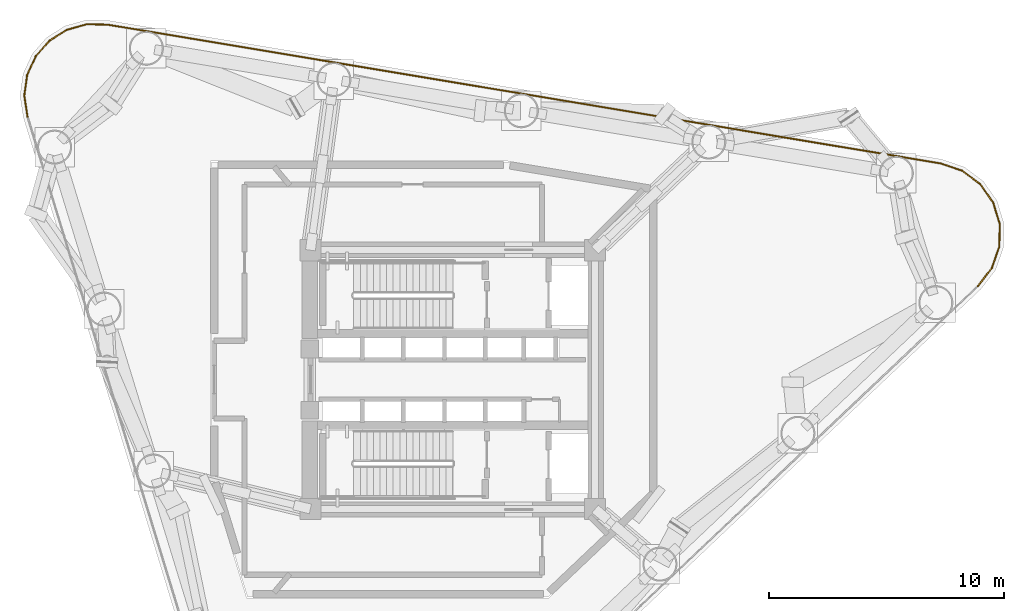
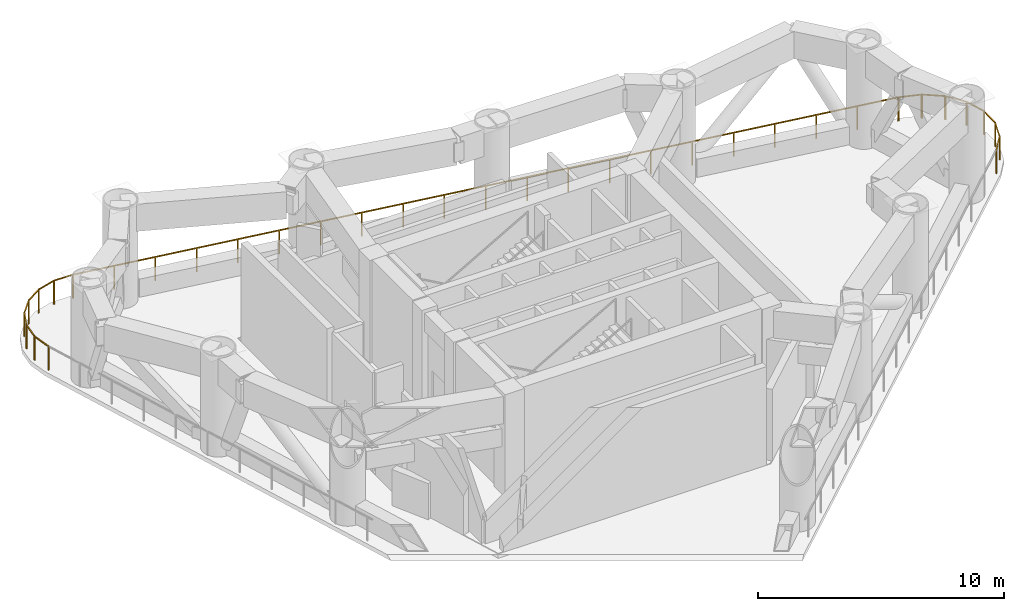
# One storey, part 8 of 8: 15 railings.
"""IFC4 building model written with IfcOpenShell, lengths in metres."""

from ifc_helpers import new_model, si_unit, direction, frame, origin, origin_2d, place, context, subcontext, project, spatial, rectangle, extrude, material, type_object, element, save


model = new_model("IFC4")

# Units and contexts
model_context = context("Model", 3, precision=1e-05, world=origin(), true_north=direction((0.0, 1.0)))
body_context = subcontext(model_context, "Body", "Model", "MODEL_VIEW")
ifc_project = project(units=[si_unit("LENGTHUNIT", "METRE"), si_unit("AREAUNIT", "SQUARE_METRE"), si_unit("VOLUMEUNIT", "CUBIC_METRE"), si_unit("PLANEANGLEUNIT", "RADIAN"), si_unit("MASSUNIT", "GRAM", prefix="KILO")], contexts=[model_context])

# Site, building, storey
site_placement = place(None, origin())
site = spatial("IfcSite", under=ifc_project, at=site_placement, CompositionType="ELEMENT")
building_placement = place(site_placement, origin())
building = spatial("IfcBuilding", under=site, at=building_placement, Name="Yunling Apex Tower", CompositionType="ELEMENT")
storey_placement = place(building_placement, frame((0.0, 0.0, 119.89990234375)))
storey = spatial("IfcBuildingStorey", under=building, at=storey_placement, Name="RF3", CompositionType="ELEMENT", Elevation=119.89990234375)

# Railings
ifc_material = material(Name="Bronze anodised aluminium", Category="aluminium")
railing_type = type_object("IfcRailingType", Name="RL-BAL-1200", PredefinedType="BALUSTRADE", material=ifc_material)
railing_1_placement = place(storey_placement, frame((-18.077880859375, 11.175537109375, 0.0)))
element("IfcRailing", 1, at=railing_1_placement, inside=storey, type_object=railing_type, Name="RL-REF-RF3-02", PredefinedType="BALUSTRADE", context=body_context, shape_type="SweptSolid", body=[
    extrude(rectangle(XDim=0.0439453125, YDim=0.0439453125, at=origin_2d()), origin(), (0.0, 0.0, 1.0), 1.199951171875),
    extrude(rectangle(XDim=0.0439453125, YDim=0.0439453125, at=origin_2d()), frame((-0.13916015625, 0.911865234375, 0.0)), (0.0, 0.0, 1.0), 1.199951171875),
    extrude(rectangle(XDim=0.050048828125, YDim=0.050048828125, at=origin_2d()), frame((-0.005859375, 0.037841796875, 1.1748046875), z_axis=(-0.150863748973, 0.988554565639, 0.0), x_axis=(-0.988554565639, -0.150863748973, 0.0)), (0.0, 0.0, 1.0), 0.845703125),
])
railing_2_placement = place(storey_placement, frame((-18.216796875, 12.0576171875, 0.0)))
element("IfcRailing", 2, at=railing_2_placement, inside=storey, type_object=railing_type, Name="RL-REF-RF3-03", PredefinedType="BALUSTRADE", context=body_context, shape_type="SweptSolid", body=[
    extrude(rectangle(XDim=0.0439453125, YDim=0.0439453125, at=origin_2d()), origin(), (0.0, 0.0, 1.0), 1.199951171875),
    extrude(rectangle(XDim=0.0439453125, YDim=0.0439453125, at=origin_2d()), frame((0.125732421875, 0.900390625, 0.0)), (0.0, 0.0, 1.0), 1.199951171875),
    extrude(rectangle(XDim=0.050048828125, YDim=0.050048828125, at=origin_2d()), frame((0.00537109375, 0.037841796875, 1.1748046875), z_axis=(0.138300172092, 0.990390358596, 0.0), x_axis=(-0.990390358596, 0.138300172092, 0.0)), (0.0, 0.0, 1.0), 0.83251953125),
])
railing_3_placement = place(storey_placement, frame((-18.099365234375, 12.929443359375, 0.0)))
element("IfcRailing", 3, at=railing_3_placement, inside=storey, type_object=railing_type, Name="RL-REF-RF3-04", PredefinedType="BALUSTRADE", context=body_context, shape_type="SweptSolid", body=[
    extrude(rectangle(XDim=0.0439453125, YDim=0.0439453125, at=origin_2d()), origin(), (0.0, 0.0, 1.0), 1.199951171875),
    extrude(rectangle(XDim=0.0439453125, YDim=0.0439453125, at=origin_2d()), frame((0.37841796875, 0.82666015625, 0.0)), (0.0, 0.0, 1.0), 1.199951171875),
    extrude(rectangle(XDim=0.050048828125, YDim=0.050048828125, at=origin_2d()), frame((0.015869140625, 0.034912109375, 1.1748046875), z_axis=(0.416229323864, 0.909259671357, 0.0), x_axis=(-0.909259671357, 0.416229323864, 0.0)), (0.0, 0.0, 1.0), 0.83251953125),
])
railing_4_placement = place(storey_placement, frame((-17.7373046875, 13.731201171875, 0.0)))
element("IfcRailing", 4, at=railing_4_placement, inside=storey, type_object=railing_type, Name="RL-REF-RF3-05", PredefinedType="BALUSTRADE", context=body_context, shape_type="SweptSolid", body=[
    extrude(rectangle(XDim=0.0439453125, YDim=0.0439453125, at=origin_2d()), origin(), (0.0, 0.0, 1.0), 1.199951171875),
    extrude(rectangle(XDim=0.0439453125, YDim=0.0439453125, at=origin_2d()), frame((0.599365234375, 0.68359375, 0.0)), (0.0, 0.0, 1.0), 1.199951171875),
    extrude(rectangle(XDim=0.050048828125, YDim=0.050048828125, at=origin_2d()), frame((0.025390625, 0.02880859375, 1.1748046875), z_axis=(0.659264737823, 0.751910902609, 0.0), x_axis=(-0.751910902609, 0.659264737823, 0.0)), (0.0, 0.0, 1.0), 0.83251953125),
])
railing_5_placement = place(storey_placement, frame((-17.16064453125, 14.3955078125, 0.0)))
element("IfcRailing", 5, at=railing_5_placement, inside=storey, type_object=railing_type, Name="RL-REF-RF3-06", PredefinedType="BALUSTRADE", context=body_context, shape_type="SweptSolid", body=[
    extrude(rectangle(XDim=0.0439453125, YDim=0.0439453125, at=origin_2d()), origin(), (0.0, 0.0, 1.0), 1.199951171875),
    extrude(rectangle(XDim=0.0439453125, YDim=0.0439453125, at=origin_2d()), frame((0.77001953125, 0.483642578125, 0.0)), (0.0, 0.0, 1.0), 1.199951171875),
    extrude(rectangle(XDim=0.050048828125, YDim=0.050048828125, at=origin_2d()), frame((0.032470703125, 0.0205078125, 1.1748046875), z_axis=(0.846819682296, 0.531880085805, 0.0), x_axis=(-0.531880085805, 0.846819682296, 0.0)), (0.0, 0.0, 1.0), 0.832763671875),
])
railing_6_placement = place(storey_placement, frame((-16.41796875, 14.8671875, 0.0)))
element("IfcRailing", 6, at=railing_6_placement, inside=storey, type_object=railing_type, Name="RL-REF-RF3-07", PredefinedType="BALUSTRADE", context=body_context, shape_type="SweptSolid", body=[
    extrude(rectangle(XDim=0.0439453125, YDim=0.0439453125, at=origin_2d()), origin(), (0.0, 0.0, 1.0), 1.199951171875),
    extrude(rectangle(XDim=0.0439453125, YDim=0.0439453125, at=origin_2d()), frame((0.876220703125, 0.242919921875, 0.0)), (0.0, 0.0, 1.0), 1.199951171875),
    extrude(rectangle(XDim=0.050048828125, YDim=0.050048828125, at=origin_2d()), frame((0.036865234375, 0.01025390625, 1.1748046875), z_axis=(0.963652423219, 0.26715914213, 0.0), x_axis=(-0.26715914213, 0.963652423219, 0.0)), (0.0, 0.0, 1.0), 0.83251953125),
])
railing_7_placement = place(storey_placement, frame((-15.5712890625, 15.106201171875, 0.0)))
element("IfcRailing", 7, at=railing_7_placement, inside=storey, type_object=railing_type, Name="RL-REF-RF3-08", PredefinedType="BALUSTRADE", context=body_context, shape_type="SweptSolid", body=[
    extrude(rectangle(XDim=0.0439453125, YDim=0.0439453125, at=origin_2d()), origin(), (0.0, 0.0, 1.0), 1.199951171875),
    extrude(rectangle(XDim=0.0439453125, YDim=0.0439453125, at=origin_2d()), frame((0.922119140625, -0.018310546875, 0.0)), (0.0, 0.0, 1.0), 1.199951171875),
    extrude(rectangle(XDim=0.050048828125, YDim=0.050048828125, at=origin_2d()), frame((0.038330078125, -0.000732421875, 1.1748046875), z_axis=(0.999802907475, -0.019853115716, 0.0), x_axis=(0.019853115716, 0.999802907475, 0.0)), (0.0, 0.0, 1.0), 0.845703125),
])
railing_8_placement = place(storey_placement, frame((-14.678955078125, 15.0908203125, 0.0)))
element("IfcRailing", 8, at=railing_8_placement, inside=storey, type_object=railing_type, Name="RL-REF-RF3-09", PredefinedType="BALUSTRADE", context=body_context, shape_type="SweptSolid", body=[
    extrude(rectangle(XDim=0.0439453125, YDim=0.0439453125, at=origin_2d()), origin(), (0.0, 0.0, 1.0), 1.199951171875),
    extrude(rectangle(XDim=0.0439453125, YDim=0.0439453125, at=origin_2d()), frame((35.42431640625, -5.90283203125, 0.0)), (0.0, 0.0, 1.0), 1.199951171875),
    extrude(rectangle(XDim=0.050048828125, YDim=0.050048828125, at=origin_2d()), frame((0.037841796875, -0.00634765625, 1.1748046875), z_axis=(0.986399435299, -0.164365915083, 0.0), x_axis=(0.164365915083, 0.986399435299, 0.0)), (0.0, 0.0, 1.0), 35.836181640625),
    extrude(rectangle(XDim=0.0439453125, YDim=0.0439453125, at=origin_2d()), frame((1.771240234375, -0.295166015625, 0.0)), (0.0, 0.0, 1.0), 1.14599609375),
    extrude(rectangle(XDim=0.0439453125, YDim=0.0439453125, at=origin_2d()), frame((3.54248046875, -0.59033203125, 0.0)), (0.0, 0.0, 1.0), 1.14599609375),
    extrude(rectangle(XDim=0.0439453125, YDim=0.0439453125, at=origin_2d()), frame((5.313720703125, -0.885498046875, 0.0)), (0.0, 0.0, 1.0), 1.14599609375),
    extrude(rectangle(XDim=0.0439453125, YDim=0.0439453125, at=origin_2d()), frame((7.0849609375, -1.1806640625, 0.0)), (0.0, 0.0, 1.0), 1.14599609375),
    extrude(rectangle(XDim=0.0439453125, YDim=0.0439453125, at=origin_2d()), frame((8.85595703125, -1.4755859375, 0.0)), (0.0, 0.0, 1.0), 1.14599609375),
    extrude(rectangle(XDim=0.0439453125, YDim=0.0439453125, at=origin_2d()), frame((10.627197265625, -1.770751953125, 0.0)), (0.0, 0.0, 1.0), 1.14599609375),
    extrude(rectangle(XDim=0.0439453125, YDim=0.0439453125, at=origin_2d()), frame((12.3984375, -2.06591796875, 0.0)), (0.0, 0.0, 1.0), 1.14599609375),
    extrude(rectangle(XDim=0.0439453125, YDim=0.0439453125, at=origin_2d()), frame((14.169677734375, -2.361083984375, 0.0)), (0.0, 0.0, 1.0), 1.14599609375),
    extrude(rectangle(XDim=0.0439453125, YDim=0.0439453125, at=origin_2d()), frame((15.94091796875, -2.65625, 0.0)), (0.0, 0.0, 1.0), 1.14599609375),
    extrude(rectangle(XDim=0.0439453125, YDim=0.0439453125, at=origin_2d()), frame((17.712158203125, -2.951416015625, 0.0)), (0.0, 0.0, 1.0), 1.14599609375),
    extrude(rectangle(XDim=0.0439453125, YDim=0.0439453125, at=origin_2d()), frame((19.4833984375, -3.24658203125, 0.0)), (0.0, 0.0, 1.0), 1.14599609375),
    extrude(rectangle(XDim=0.0439453125, YDim=0.0439453125, at=origin_2d()), frame((21.254638671875, -3.541748046875, 0.0)), (0.0, 0.0, 1.0), 1.14599609375),
    extrude(rectangle(XDim=0.0439453125, YDim=0.0439453125, at=origin_2d()), frame((23.02587890625, -3.8369140625, 0.0)), (0.0, 0.0, 1.0), 1.14599609375),
    extrude(rectangle(XDim=0.0439453125, YDim=0.0439453125, at=origin_2d()), frame((24.797119140625, -4.132080078125, 0.0)), (0.0, 0.0, 1.0), 1.14599609375),
    extrude(rectangle(XDim=0.0439453125, YDim=0.0439453125, at=origin_2d()), frame((26.568359375, -4.42724609375, 0.0)), (0.0, 0.0, 1.0), 1.14599609375),
    extrude(rectangle(XDim=0.0439453125, YDim=0.0439453125, at=origin_2d()), frame((28.33935546875, -4.72216796875, 0.0)), (0.0, 0.0, 1.0), 1.14599609375),
    extrude(rectangle(XDim=0.0439453125, YDim=0.0439453125, at=origin_2d()), frame((30.110595703125, -5.017333984375, 0.0)), (0.0, 0.0, 1.0), 1.14599609375),
    extrude(rectangle(XDim=0.0439453125, YDim=0.0439453125, at=origin_2d()), frame((31.8818359375, -5.3125, 0.0)), (0.0, 0.0, 1.0), 1.14599609375),
    extrude(rectangle(XDim=0.0439453125, YDim=0.0439453125, at=origin_2d()), frame((33.653076171875, -5.607666015625, 0.0)), (0.0, 0.0, 1.0), 1.14599609375),
])
railing_9_placement = place(storey_placement, frame((20.71630859375, 9.1953125, 0.0)))
element("IfcRailing", 9, at=railing_9_placement, inside=storey, type_object=railing_type, Name="RL-REF-RF3-10", PredefinedType="BALUSTRADE", context=body_context, shape_type="SweptSolid", body=[
    extrude(rectangle(XDim=0.0439453125, YDim=0.0439453125, at=origin_2d()), origin(), (0.0, 0.0, 1.0), 1.199951171875),
    extrude(rectangle(XDim=0.0439453125, YDim=0.0439453125, at=origin_2d()), frame((0.950927734375, -0.31884765625, 0.0)), (0.0, 0.0, 1.0), 1.199951171875),
    extrude(rectangle(XDim=0.050048828125, YDim=0.050048828125, at=origin_2d()), frame((0.036376953125, -0.01220703125, 1.1748046875), z_axis=(0.948121944606, -0.317906870258, 0.0), x_axis=(0.317906870258, 0.948121944606, 0.0)), (0.0, 0.0, 1.0), 0.92626953125),
])
railing_10_placement = place(storey_placement, frame((21.64111328125, 8.89013671875, 0.0)))
element("IfcRailing", 10, at=railing_10_placement, inside=storey, type_object=railing_type, Name="RL-REF-RF3-11", PredefinedType="BALUSTRADE", context=body_context, shape_type="SweptSolid", body=[
    extrude(rectangle(XDim=0.0439453125, YDim=0.0439453125, at=origin_2d()), origin(), (0.0, 0.0, 1.0), 1.199951171875),
    extrude(rectangle(XDim=0.0439453125, YDim=0.0439453125, at=origin_2d()), frame((0.79248046875, -0.590576171875, 0.0)), (0.0, 0.0, 1.0), 1.199951171875),
    extrude(rectangle(XDim=0.050048828125, YDim=0.050048828125, at=origin_2d()), frame((0.03076171875, -0.02294921875, 1.1748046875), z_axis=(0.801834092258, -0.597546724945, 0.0), x_axis=(0.597546724945, 0.801834092258, 0.0)), (0.0, 0.0, 1.0), 0.91162109375),
])
railing_11_placement = place(storey_placement, frame((22.4130859375, 8.32080078125, 0.0)))
element("IfcRailing", 11, at=railing_11_placement, inside=storey, type_object=railing_type, Name="RL-REF-RF3-12", PredefinedType="BALUSTRADE", context=body_context, shape_type="SweptSolid", body=[
    extrude(rectangle(XDim=0.0439453125, YDim=0.0439453125, at=origin_2d()), origin(), (0.0, 0.0, 1.0), 1.199951171875),
    extrude(rectangle(XDim=0.0439453125, YDim=0.0439453125, at=origin_2d()), frame((0.569091796875, -0.80810546875, 0.0)), (0.0, 0.0, 1.0), 1.199951171875),
    extrude(rectangle(XDim=0.050048828125, YDim=0.050048828125, at=origin_2d()), frame((0.02197265625, -0.03125, 1.1748046875), z_axis=(0.575780944939, -0.817604001608, 0.0), x_axis=(0.817604001608, 0.575780944939, 0.0)), (0.0, 0.0, 1.0), 0.91162109375),
])
railing_12_placement = place(storey_placement, frame((22.968994140625, 7.539306640625, 0.0)))
element("IfcRailing", 12, at=railing_12_placement, inside=storey, type_object=railing_type, Name="RL-REF-RF3-13", PredefinedType="BALUSTRADE", context=body_context, shape_type="SweptSolid", body=[
    extrude(rectangle(XDim=0.0439453125, YDim=0.0439453125, at=origin_2d()), origin(), (0.0, 0.0, 1.0), 1.199951171875),
    extrude(rectangle(XDim=0.0439453125, YDim=0.0439453125, at=origin_2d()), frame((0.2890625, -0.9453125, 0.0)), (0.0, 0.0, 1.0), 1.199951171875),
    extrude(rectangle(XDim=0.050048828125, YDim=0.050048828125, at=origin_2d()), frame((0.01123046875, -0.03662109375, 1.1748046875), z_axis=(0.292419316803, -0.956290198193, 0.0), x_axis=(0.956290198193, 0.292419316803, 0.0)), (0.0, 0.0, 1.0), 0.911865234375),
])
railing_13_placement = place(storey_placement, frame((23.254150390625, 6.623291015625, 0.0)))
element("IfcRailing", 13, at=railing_13_placement, inside=storey, type_object=railing_type, Name="RL-REF-RF3-14", PredefinedType="BALUSTRADE", context=body_context, shape_type="SweptSolid", body=[
    extrude(rectangle(XDim=0.0439453125, YDim=0.0439453125, at=origin_2d()), origin(), (0.0, 0.0, 1.0), 1.199951171875),
    extrude(rectangle(XDim=0.0439453125, YDim=0.0439453125, at=origin_2d()), frame((-0.02001953125, -0.98828125, 0.0)), (0.0, 0.0, 1.0), 1.199951171875),
    extrude(rectangle(XDim=0.050048828125, YDim=0.050048828125, at=origin_2d()), frame((-0.000732421875, -0.038330078125, 1.1748046875), z_axis=(-0.020252762136, -0.999794891778, 0.0), x_axis=(0.999794891778, -0.020252762136, 0.0)), (0.0, 0.0, 1.0), 0.911865234375),
])
railing_14_placement = place(storey_placement, frame((23.239501953125, 5.6640625, 0.0)))
element("IfcRailing", 14, at=railing_14_placement, inside=storey, type_object=railing_type, Name="RL-REF-RF3-15", PredefinedType="BALUSTRADE", context=body_context, shape_type="SweptSolid", body=[
    extrude(rectangle(XDim=0.0439453125, YDim=0.0439453125, at=origin_2d()), origin(), (0.0, 0.0, 1.0), 1.199951171875),
    extrude(rectangle(XDim=0.0439453125, YDim=0.0439453125, at=origin_2d()), frame((-0.326904296875, -0.932861328125, 0.0)), (0.0, 0.0, 1.0), 1.199951171875),
    extrude(rectangle(XDim=0.050048828125, YDim=0.050048828125, at=origin_2d()), frame((-0.0126953125, -0.0361328125, 1.1748046875), z_axis=(-0.330713452327, -0.943731218329, 0.0), x_axis=(0.943731218329, -0.330713452327, 0.0)), (0.0, 0.0, 1.0), 0.911865234375),
])
railing_15_placement = place(storey_placement, frame((22.926513671875, 4.75732421875, 0.0)))
element("IfcRailing", 15, at=railing_15_placement, inside=storey, type_object=railing_type, Name="RL-REF-RF3-16", PredefinedType="BALUSTRADE", context=body_context, shape_type="SweptSolid", body=[
    extrude(rectangle(XDim=0.0439453125, YDim=0.0439453125, at=origin_2d()), origin(), (0.0, 0.0, 1.0), 1.199951171875),
    extrude(rectangle(XDim=0.0439453125, YDim=0.0439453125, at=origin_2d()), frame((-0.60986328125, -0.796142578125, 0.0)), (0.0, 0.0, 1.0), 1.199951171875),
    extrude(rectangle(XDim=0.050048828125, YDim=0.050048828125, at=origin_2d()), frame((-0.023193359375, -0.030517578125, 1.1748046875), z_axis=(-0.608109520961, -0.793853141655, 0.0), x_axis=(0.793853141655, -0.608109520961, 0.0)), (0.0, 0.0, 1.0), 0.92626953125),
])

save(model, "model.ifc")
